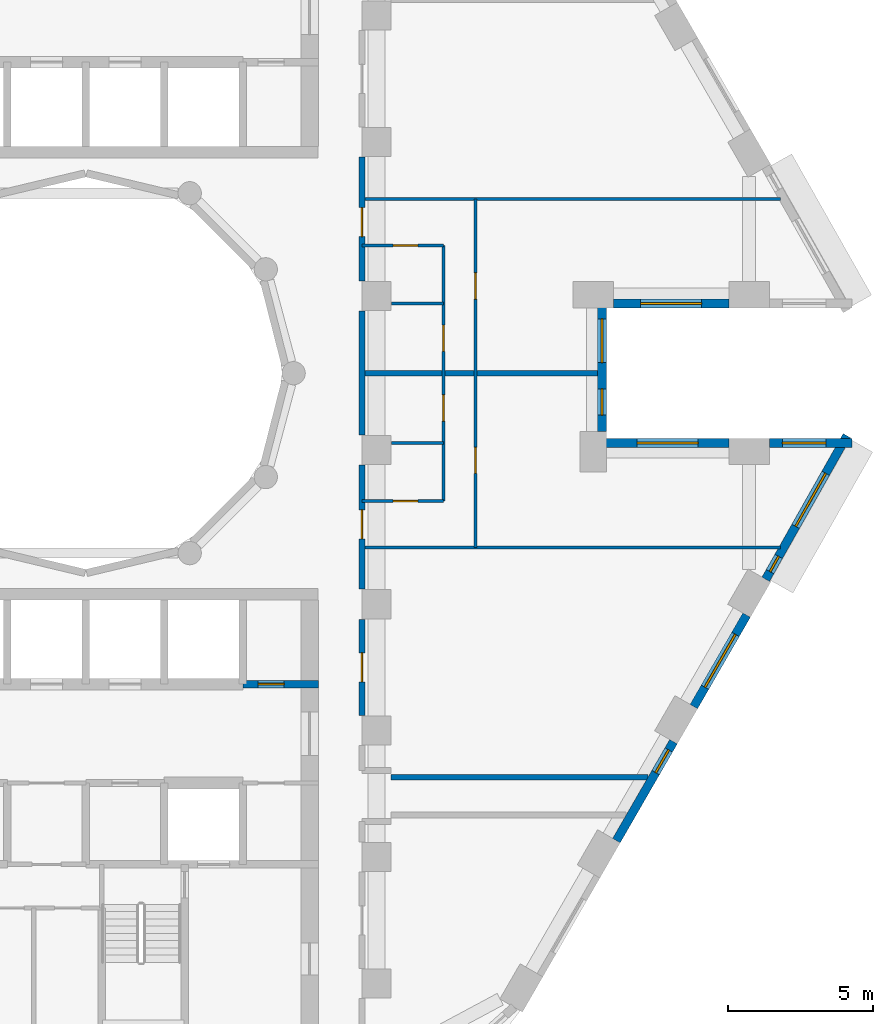
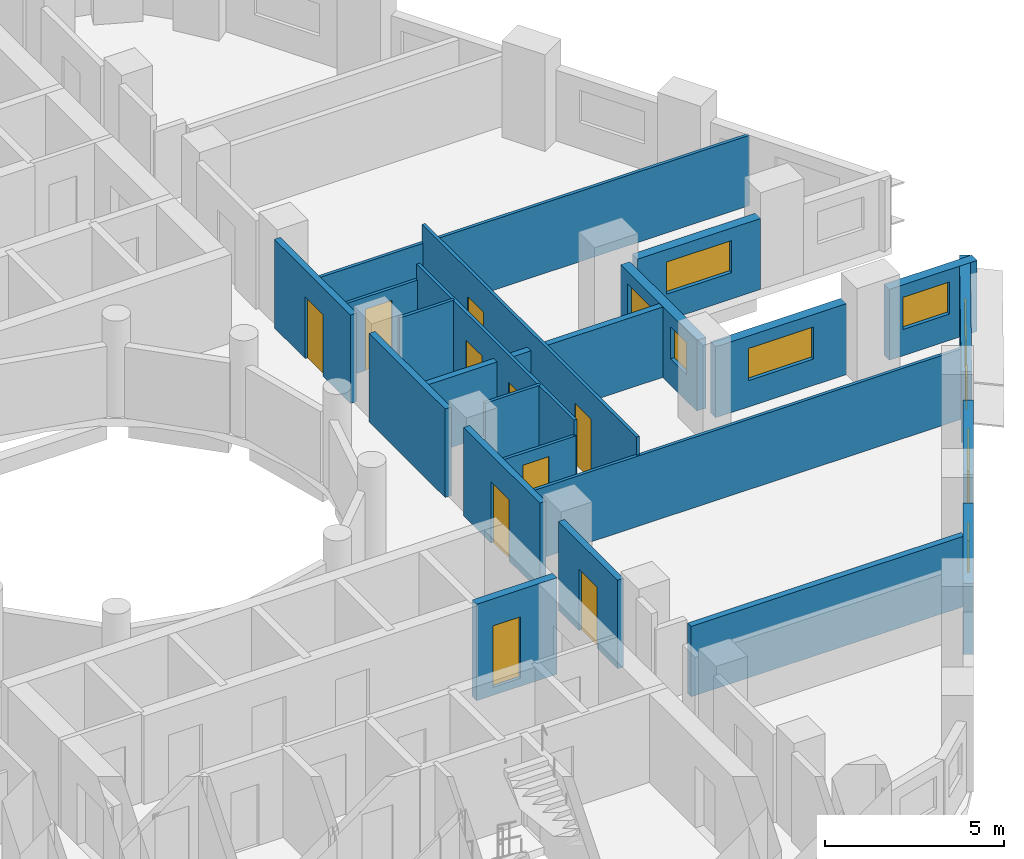
# One storey, part 6 of 12: 22 walls, 10 doors, 9 windows, 19 openings.
"""IFC4 building model written with IfcOpenShell, lengths in metres."""

import ifcopenshell
import ifcopenshell.guid

model = None  # the IFC model being written
_history = None  # IfcOwnerHistory: only IFC2X3 demands one
_inside = {}  # id of a spatial element -> (the spatial element, [elements in it])
_under = {}  # id of a project, library or spatial element -> (it, [spatial elements below it])
_declared = {}  # id of a project -> (the project, [libraries it declares])
_typed = {}  # id of a type object -> (the type object, [elements of that type])
_made_of = {}  # id of a material, layer set ... -> (it, [elements and type objects made of it])


def new_model(schema):
    """Start an empty IFC model of exactly this schema.

    Asked for "IFC4X3", IfcOpenShell would pick the latest addendum, in which some entities
    have other attributes; the version numbers below select the first issue.
    IFC2X3 requires an IfcOwnerHistory on every rooted entity: one is made here for all.
    """
    global model, _history
    if schema == "IFC4X3":
        model = ifcopenshell.file(schema_version=(4, 3, 0, 0))
    else:
        model = ifcopenshell.file(schema=schema)
    _inside.clear()
    _under.clear()
    _declared.clear()
    _typed.clear()
    _made_of.clear()
    _history = None
    if model.schema == "IFC2X3":
        org = make("IfcOrganization", Name="unknown")
        user = make(
            "IfcPersonAndOrganization",
            ThePerson=make("IfcPerson", FamilyName="unknown"),
            TheOrganization=org,
        )
        app = make(
            "IfcApplication",
            ApplicationDeveloper=org,
            Version="unknown",
            ApplicationFullName="unknown",
            ApplicationIdentifier="unknown",
        )
        _history = make(
            "IfcOwnerHistory",
            OwningUser=user,
            OwningApplication=app,
            ChangeAction="ADDED",
            CreationDate=0,
        )
    return model


def make(cls, **values):
    """One entity of the class cls with the attributes given. An attribute that is None is left unset."""
    return model.create_entity(
        cls, **{name: value for name, value in values.items() if value is not None}
    )


def rooted(cls, **values):
    """An entity with a GlobalId (a new one), such as an element, a storey or a relation."""
    return make(cls, GlobalId=ifcopenshell.guid.new(), OwnerHistory=_history, **values)


def si_unit(unit_type, name, prefix=None):
    """IfcSIUnit, for example si_unit("LENGTHUNIT", "METRE", prefix="MILLI")."""
    return make("IfcSIUnit", UnitType=unit_type, Prefix=prefix, Name=name)


def assignment(units):
    """IfcUnitAssignment: the units of a project."""
    return None if units is None else make("IfcUnitAssignment", Units=units)


def point(xyz):
    """IfcCartesianPoint."""
    return None if xyz is None else make("IfcCartesianPoint", Coordinates=xyz)


def direction(xyz):
    """IfcDirection."""
    return None if xyz is None else make("IfcDirection", DirectionRatios=xyz)


def frame(location, z_axis=None, x_axis=None):
    """IfcAxis2Placement3D, a coordinate frame: its origin and axes. An axis left out is left unset."""
    return make(
        "IfcAxis2Placement3D",
        Location=point(location),
        Axis=direction(z_axis),
        RefDirection=direction(x_axis),
    )


def frame_2d(location, x_axis=None):
    """IfcAxis2Placement2D, a coordinate frame in the plane: its origin and x axis."""
    return make(
        "IfcAxis2Placement2D", Location=point(location), RefDirection=direction(x_axis)
    )


def origin():
    """The frame at (0, 0, 0) with its axes left unset."""
    return frame((0.0, 0.0, 0.0))


def place(relative_to, where):
    """IfcLocalPlacement: puts the frame where relative to a parent placement (None: the world)."""
    return make(
        "IfcLocalPlacement", PlacementRelTo=relative_to, RelativePlacement=where
    )


def context(
    kind, dimensions, precision=None, world=None, true_north=None, identifier=None
):
    """IfcGeometricRepresentationContext, for example the 3D "Model" context."""
    return make(
        "IfcGeometricRepresentationContext",
        ContextIdentifier=identifier,
        ContextType=kind,
        CoordinateSpaceDimension=dimensions,
        Precision=precision,
        WorldCoordinateSystem=world,
        TrueNorth=true_north,
    )


def subcontext(parent, identifier, kind, view, scale=None):
    """IfcGeometricRepresentationSubContext, for example "Body" below "Model"."""
    return make(
        "IfcGeometricRepresentationSubContext",
        ContextIdentifier=identifier,
        ContextType=kind,
        ParentContext=parent,
        TargetScale=scale,
        TargetView=view,
    )


def project(units=None, contexts=None):
    """IfcProject with its units and contexts."""
    return rooted(
        "IfcProject",
        Name="project",
        RepresentationContexts=contexts,
        UnitsInContext=assignment(units),
    )


def spatial(cls, under=None, at=None, **own):
    """A site, building, storey or space (cls), placed at a placement, below another one or the project."""
    s = rooted(cls, ObjectPlacement=at, **own)
    if under is not None:
        _under.setdefault(under.id(), (under, []))[1].append(s)
    return s


def profile(cls, at=None, kind="AREA", **sizes):
    """A parametric profile (cls). Its sizes go by their IFC names, for example OverallWidth=200.0."""
    return make(cls, ProfileType=kind, Position=at, **sizes)


def rectangle(**sizes):
    """IfcRectangleProfileDef."""
    return profile("IfcRectangleProfileDef", **sizes)


def extrude(swept, where, along, depth):
    """IfcExtrudedAreaSolid: the profile swept, set in the frame where, extruded along a direction by depth."""
    return make(
        "IfcExtrudedAreaSolid",
        SweptArea=swept,
        Position=where,
        ExtrudedDirection=direction(along),
        Depth=depth,
    )


def shape(context_of_items, identifier, shape_type, items):
    """IfcShapeRepresentation: the items that make up one representation, for example the "Body"."""
    return make(
        "IfcShapeRepresentation",
        ContextOfItems=context_of_items,
        RepresentationIdentifier=identifier,
        RepresentationType=shape_type,
        Items=items,
    )


def material(Name=None, Category=None):
    """IfcMaterial."""
    return make("IfcMaterial", Name=Name, Category=Category)


def layer(
    of_material, thickness, ventilated=None, Name=None, Category=None, Priority=None
):
    """IfcMaterialLayer: one layer of a wall or slab, of a material (None: an air gap)."""
    return make(
        "IfcMaterialLayer",
        Material=of_material,
        LayerThickness=thickness,
        IsVentilated=ventilated,
        Name=Name,
        Category=Category,
        Priority=Priority,
    )


def layer_set(layers, Name=None):
    """IfcMaterialLayerSet."""
    return make("IfcMaterialLayerSet", MaterialLayers=layers, LayerSetName=Name)


def made_of(thing, what):
    """Note that an element or type object is made of a material, layer set ...; save() writes the relation."""
    if what is not None:
        _made_of.setdefault(what.id(), (what, []))[1].append(thing)
    return thing


def type_object(cls, material=None, **own):
    """A type object (cls), such as IfcWallType, which elements share."""
    return made_of(rooted(cls, **own), material)


def element(
    cls,
    number,
    at=None,
    inside=None,
    cuts=None,
    type_object=None,
    material=None,
    context=None,
    identifier="Body",
    shape_type=None,
    held_by="IfcProductDefinitionShape",
    body=None,
    shapes=None,
    **own,
):
    """One element of the class cls, such as IfcWall. Its Tag is "e" and its number.

    at: its placement. inside: the storey or other place that contains it. cuts: it is an
    opening in that element (IfcRelVoidsElement). A single representation is given by context,
    identifier, shape_type and body (its items); several are given by shapes. held_by: the class
    of the entity that holds the representations. save() writes the other relations.
    """
    e = rooted(cls, Tag="e%d" % number, ObjectPlacement=at, **own)
    if body is not None:
        shapes = [shape(context, identifier, shape_type, body)]
    if shapes is not None:
        e.Representation = make(held_by, Representations=shapes)
    if inside is not None:
        _inside.setdefault(inside.id(), (inside, []))[1].append(e)
    if cuts is not None:
        rooted(
            "IfcRelVoidsElement", RelatingBuildingElement=cuts, RelatedOpeningElement=e
        )
    if type_object is not None:
        _typed.setdefault(type_object.id(), (type_object, []))[1].append(e)
    return made_of(e, material)


def fill(opening, filler):
    """IfcRelFillsElement: the door or window that sits in an opening."""
    return rooted(
        "IfcRelFillsElement",
        RelatingOpeningElement=opening,
        RelatedBuildingElement=filler,
    )


def aggregate(whole, parts):
    """IfcRelAggregates: a whole, such as a stair, and the parts it consists of."""
    return rooted("IfcRelAggregates", RelatingObject=whole, RelatedObjects=parts)


def save(model, path):
    """Write the relations noted so far, then the file.

    IfcRelAggregates (storeys below a building ...), IfcRelContainedInSpatialStructure (elements
    in a storey), IfcRelDefinesByType, IfcRelAssociatesMaterial and IfcRelDeclares: one each for
    every whole, place, type object, material and project.
    """
    for whole, parts in _under.values():
        aggregate(whole, parts)
    for where, things in _inside.values():
        rooted(
            "IfcRelContainedInSpatialStructure",
            RelatedElements=things,
            RelatingStructure=where,
        )
    for kind, things in _typed.values():
        rooted("IfcRelDefinesByType", RelatedObjects=things, RelatingType=kind)
    for what, things in _made_of.values():
        rooted("IfcRelAssociatesMaterial", RelatedObjects=things, RelatingMaterial=what)
    for by, libraries in _declared.values():
        rooted("IfcRelDeclares", RelatingContext=by, RelatedDefinitions=libraries)
    model.write(path)


model = new_model("IFC4")

# Units and contexts
model_context = context("Model", 3, precision=1e-05, world=origin(), true_north=direction((0.0, 1.0)))
body_context = subcontext(model_context, "Body", "Model", "MODEL_VIEW")
ifc_project = project(units=[si_unit("LENGTHUNIT", "METRE"), si_unit("AREAUNIT", "SQUARE_METRE"), si_unit("VOLUMEUNIT", "CUBIC_METRE"), si_unit("PLANEANGLEUNIT", "RADIAN"), si_unit("MASSUNIT", "GRAM", prefix="KILO")], contexts=[model_context])

# Site, building, storey
site_placement = place(None, origin())
site = spatial("IfcSite", under=ifc_project, at=site_placement, CompositionType="ELEMENT")
building_placement = place(site_placement, origin())
building = spatial("IfcBuilding", under=site, at=building_placement, Name="Nakaniwa Court", CompositionType="ELEMENT")
storey_placement = place(building_placement, frame((0.0, 0.0, 87.60009765625)))
storey = spatial("IfcBuildingStorey", under=building, at=storey_placement, Name="L22", CompositionType="ELEMENT", Elevation=87.60009765625)

# Wall, opening, door
ifc_material_1 = material(Name="Acoustic double stud partition")
ifc_layer_1 = layer(ifc_material_1, 0.199951171875)
ifc_layer_set_1 = layer_set([ifc_layer_1], Name="Acoustic double stud partition")
wall_type_1 = type_object("IfcWallType", Name="Acoustic double stud partition 200", PredefinedType="PARTITIONING", material=ifc_layer_set_1)
wall_1_placement = place(storey_placement, frame((89.5, 71.532958984375, 0.0), z_axis=(0.0, 0.0, 1.0), x_axis=(0.0, -1.0, 0.0)))
wall_1 = element("IfcWall", 1, at=wall_1_placement, inside=storey, type_object=wall_type_1, Name="Partition PW-073", PredefinedType="PARTITIONING", context=body_context, shape_type="SweptSolid", body=[
    extrude(rectangle(XDim=3.31591796875, YDim=0.199951171875, at=frame_2d((1.657958984375, 0.0))), origin(), (0.0, 0.0, 1.0), 3.02490234375),
])
opening_1_placement = place(wall_1_placement, frame((1.157958984375, 0.0, 0.0)))
opening_1 = element("IfcOpeningElement", 2, at=opening_1_placement, cuts=wall_1, Name="Opening D-02-02", PredefinedType="OPENING", context=body_context, shape_type="SweptSolid", body=[
    extrude(rectangle(XDim=1.0, YDim=2.10009765625, at=frame_2d((0.5, 1.050048828125))), frame((0.0, 0.10986328125, 0.0), z_axis=(0.0, -1.0, 0.0), x_axis=(1.0, 0.0, 0.0)), (0.0, 0.0, 1.0), 0.219970703125),
])
ifc_material_2 = material(Name="Solid core timber door set, black veneer", Category="wood")
door_type_1 = type_object("IfcDoorType", Name="Internal door 1000", OperationType="NOTDEFINED", PredefinedType="DOOR", material=ifc_material_2)
door_1_placement = place(opening_1_placement, origin())
door_1 = element("IfcDoor", 3, at=door_1_placement, inside=storey, type_object=door_type_1, Name="Door D-02-02 L22-028", OperationType="SINGLE_SWING_LEFT", OverallHeight=2.10009765625, OverallWidth=1.0, PredefinedType="DOOR", context=body_context, shape_type="SweptSolid", body=[
    extrude(rectangle(XDim=1.0, YDim=2.10009765625, at=frame_2d((0.5, 1.050048828125))), frame((0.0, 0.02490234375, 0.0), z_axis=(0.0, -1.0, 0.0), x_axis=(1.0, 0.0, 0.0)), (0.0, 0.0, 1.0), 0.050048828125),
])
fill(opening_1, door_1)

wall_2_placement = place(storey_placement, frame((89.5, 76.8330078125, 0.0), z_axis=(0.0, 0.0, 1.0), x_axis=(0.0, -1.0, 0.0)))
wall_2 = element("IfcWall", 4, at=wall_2_placement, inside=storey, type_object=wall_type_1, Name="Partition PW-074", PredefinedType="PARTITIONING", context=body_context, shape_type="SweptSolid", body=[
    extrude(rectangle(XDim=4.26611328125, YDim=0.199951171875, at=frame_2d((2.133056640625, 0.0))), origin(), (0.0, 0.0, 1.0), 3.02490234375),
])
opening_2_placement = place(wall_2_placement, frame((1.532958984375, 0.0, 0.0)))
opening_2 = element("IfcOpeningElement", 5, at=opening_2_placement, cuts=wall_2, Name="Opening D-01-01", PredefinedType="OPENING", context=body_context, shape_type="SweptSolid", body=[
    extrude(rectangle(XDim=1.0, YDim=2.10009765625, at=frame_2d((0.5, 1.050048828125))), frame((0.0, 0.10986328125, 0.0), z_axis=(0.0, -1.0, 0.0), x_axis=(1.0, 0.0, 0.0)), (0.0, 0.0, 1.0), 0.219970703125),
])
door_type_2 = type_object("IfcDoorType", Name="Flat entrance door 1000", OperationType="NOTDEFINED", PredefinedType="DOOR", material=ifc_material_2)
door_2_placement = place(opening_2_placement, origin())
door_2 = element("IfcDoor", 6, at=door_2_placement, inside=storey, type_object=door_type_2, Name="Door D-01-01 L22-029", OperationType="SINGLE_SWING_RIGHT", OverallHeight=2.10009765625, OverallWidth=1.0, PredefinedType="DOOR", context=body_context, shape_type="SweptSolid", body=[
    extrude(rectangle(XDim=1.0, YDim=2.10009765625, at=frame_2d((0.5, 1.050048828125))), frame((0.0, 0.02490234375, 0.0), z_axis=(0.0, -1.0, 0.0), x_axis=(1.0, 0.0, 0.0)), (0.0, 0.0, 1.0), 0.050048828125),
])
fill(opening_2, door_2)

# Wall
wall_3_placement = place(storey_placement, frame((89.5, 77.866943359375, 0.0), z_axis=(0.0, 0.0, 1.0), x_axis=(0.0, 1.0, 0.0)))
element("IfcWall", 7, at=wall_3_placement, inside=storey, type_object=wall_type_1, Name="Partition PW-075", PredefinedType="PARTITIONING", context=body_context, shape_type="SweptSolid", body=[
    extrude(rectangle(XDim=4.26611328125, YDim=0.199951171875, at=frame_2d((2.133056640625, 0.0))), origin(), (0.0, 0.0, 1.0), 3.02490234375),
])

# Wall, opening, door
wall_4_placement = place(storey_placement, frame((89.5, 87.43310546875, 0.0), z_axis=(0.0, 0.0, 1.0), x_axis=(0.0, -1.0, 0.0)))
wall_4 = element("IfcWall", 8, at=wall_4_placement, inside=storey, type_object=wall_type_1, Name="Partition PW-076", PredefinedType="PARTITIONING", context=body_context, shape_type="SweptSolid", body=[
    extrude(rectangle(XDim=4.26611328125, YDim=0.199951171875, at=frame_2d((2.133056640625, 0.0))), origin(), (0.0, 0.0, 1.0), 3.02490234375),
])
opening_3_placement = place(wall_4_placement, frame((1.73291015625, 0.0, 0.0)))
opening_3 = element("IfcOpeningElement", 9, at=opening_3_placement, cuts=wall_4, Name="Opening D-01-02", PredefinedType="OPENING", context=body_context, shape_type="SweptSolid", body=[
    extrude(rectangle(XDim=1.0, YDim=2.10009765625, at=frame_2d((0.5, 1.050048828125))), frame((0.0, 0.10986328125, 0.0), z_axis=(0.0, -1.0, 0.0), x_axis=(1.0, 0.0, 0.0)), (0.0, 0.0, 1.0), 0.219970703125),
])
door_3_placement = place(opening_3_placement, origin())
door_3 = element("IfcDoor", 10, at=door_3_placement, inside=storey, type_object=door_type_2, Name="Door D-01-02 L22-033", OperationType="SINGLE_SWING_RIGHT", OverallHeight=2.10009765625, OverallWidth=1.0, PredefinedType="DOOR", context=body_context, shape_type="SweptSolid", body=[
    extrude(rectangle(XDim=1.0, YDim=2.10009765625, at=frame_2d((0.5, 1.050048828125))), frame((0.0, 0.02490234375, 0.0), z_axis=(0.0, -1.0, 0.0), x_axis=(1.0, 0.0, 0.0)), (0.0, 0.0, 1.0), 0.050048828125),
])
fill(opening_3, door_3)

# Walls
wall_5_placement = place(storey_placement, frame((90.5, 66.10009765625, 0.0), z_axis=(0.0, 0.0, 1.0), x_axis=(1.0, 0.0, 0.0)))
element("IfcWall", 11, at=wall_5_placement, inside=storey, type_object=wall_type_1, Name="Partition PW-094", PredefinedType="PARTITIONING", context=body_context, shape_type="SweptSolid", body=[
    extrude(rectangle(XDim=8.84130859375, YDim=0.199951171875, at=frame_2d((4.420654296875, 0.0))), origin(), (0.0, 0.0, 1.0), 2.40478515625),
])
wall_6_placement = place(storey_placement, frame((89.5, 80.0, 0.0), z_axis=(0.0, 0.0, 1.0), x_axis=(1.0, 0.0, 0.0)))
element("IfcWall", 12, at=wall_6_placement, inside=storey, type_object=wall_type_1, Name="Partition PW-111", PredefinedType="PARTITIONING", context=body_context, shape_type="SweptSolid", body=[
    extrude(rectangle(XDim=8.1083984375, YDim=0.199951171875, at=frame_2d((4.05419921875, 0.0))), origin(), (0.0, 0.0, 1.0), 2.40478515625),
])

# Wall, opening, window
ifc_material_3 = material(Name="Charcoal ceramic cladding")
ifc_layer_2 = layer(ifc_material_3, 0.02, Name="Ceramic cladding")
ifc_material_4 = material(Name="Ventilated air cavity")
ifc_layer_3 = layer(ifc_material_4, 0.04, ventilated=True, Name="Ventilated cavity")
ifc_material_5 = material(Name="Mineral wool insulation")
ifc_layer_4 = layer(ifc_material_5, 0.1, Name="Insulation")
ifc_material_6 = material(Name="Cement bonded sheathing board")
ifc_layer_5 = layer(ifc_material_6, 0.012, Name="Sheathing")
ifc_material_7 = material(Name="Cold-formed galvanised stud frame with mineral wool infill")
ifc_layer_6 = layer(ifc_material_7, 0.1, Name="Stud frame")
ifc_material_8 = material(Name="Fire-rated gypsum plasterboard lining")
ifc_layer_7 = layer(ifc_material_8, 0.028, Name="Lining")
ifc_layer_set_2 = layer_set([ifc_layer_2, ifc_layer_3, ifc_layer_4, ifc_layer_5, ifc_layer_6, ifc_layer_7], Name="Charcoal ceramic faced external wall system")
wall_type_2 = type_object("IfcWallType", Name="Black ceramic faced external wall 300", PredefinedType="SOLIDWALL", material=ifc_layer_set_2)
wall_7_placement = place(storey_placement, frame((98.154296875, 82.39990234375, 0.0), z_axis=(0.0, 0.0, 1.0), x_axis=(1.0, 0.0, 0.0)))
wall_7 = element("IfcWall", 13, at=wall_7_placement, inside=storey, type_object=wall_type_2, Name="L22 external wall 00", PredefinedType="SOLIDWALL", context=body_context, shape_type="SweptSolid", body=[
    extrude(rectangle(XDim=3.97265625, YDim=0.300048828125, at=frame_2d((1.986328125, 0.0))), origin(), (0.0, 0.0, 1.0), 2.4248046875),
])
opening_4_placement = place(wall_7_placement, frame((0.936279296875, 0.0, 0.89990234375)))
opening_4 = element("IfcOpeningElement", 14, at=opening_4_placement, cuts=wall_7, Name="Opening W7.01", PredefinedType="OPENING", context=body_context, shape_type="SweptSolid", body=[
    extrude(rectangle(XDim=2.10009765625, YDim=1.10009765625, at=frame_2d((1.050048828125, 0.550048828125))), frame((0.0, 0.159912109375, 0.0), z_axis=(0.0, -1.0, 0.0), x_axis=(1.0, 0.0, 0.0)), (0.0, 0.0, 1.0), 0.320068359375),
])
ifc_material_9 = material(Name="Black anodised aluminium frame with dark low-E laminated double glazing", Category="aluminium")
window_type_1 = type_object("IfcWindowType", Name="Dark glass window 2100x1100 sill 900", PartitioningType="SINGLE_PANEL", PredefinedType="WINDOW", material=ifc_material_9)
window_1_placement = place(opening_4_placement, origin())
window_1 = element("IfcWindow", 15, at=window_1_placement, inside=storey, type_object=window_type_1, Name="L22 living window 00-0", OverallHeight=1.10009765625, OverallWidth=2.10009765625, PartitioningType="SINGLE_PANEL", PredefinedType="WINDOW", context=body_context, shape_type="SweptSolid", body=[
    extrude(rectangle(XDim=2.10009765625, YDim=1.10009765625, at=frame_2d((1.050048828125, 0.550048828125))), frame((0.0, 0.030029296875, 0.0), z_axis=(0.0, -1.0, 0.0), x_axis=(1.0, 0.0, 0.0)), (0.0, 0.0, 1.0), 0.06005859375),
])
fill(opening_4, window_1)

wall_8_placement = place(storey_placement, frame((98.25341796875, 63.91552734375, 0.0), z_axis=(0.0, 0.0, 1.0), x_axis=(0.499957037901, 0.866050206543, 0.0)))
wall_8 = element("IfcWall", 16, at=wall_8_placement, inside=storey, type_object=wall_type_2, Name="L22 external wall 30", PredefinedType="SOLIDWALL", context=body_context, shape_type="SweptSolid", body=[
    extrude(rectangle(XDim=3.933837890625, YDim=0.300048828125, at=frame_2d((1.966796875, 0.0))), origin(), (0.0, 0.0, 1.0), 2.4248046875),
])
opening_5_placement = place(wall_8_placement, frame((2.7041015625, 0.0, 0.89990234375)))
opening_5 = element("IfcOpeningElement", 17, at=opening_5_placement, cuts=wall_8, Name="Opening W9.34", PredefinedType="OPENING", context=body_context, shape_type="SweptSolid", body=[
    extrude(rectangle(XDim=0.89990234375, YDim=1.10009765625, at=frame_2d((0.449951171875, 0.550048828125))), frame((0.0, 0.159912109375, 0.0), z_axis=(0.0, -1.0, 0.0), x_axis=(1.0, 0.0, 0.0)), (0.0, 0.0, 1.0), 0.320068359375),
])
window_type_2 = type_object("IfcWindowType", Name="Dark glass window 900x1100 sill 900", PartitioningType="SINGLE_PANEL", PredefinedType="WINDOW", material=ifc_material_9)
window_2_placement = place(opening_5_placement, origin())
window_2 = element("IfcWindow", 18, at=window_2_placement, inside=storey, type_object=window_type_2, Name="L22 habitable room window 30-2", OverallHeight=1.10009765625, OverallWidth=0.89990234375, PartitioningType="SINGLE_PANEL", PredefinedType="WINDOW", context=body_context, shape_type="SweptSolid", body=[
    extrude(rectangle(XDim=0.89990234375, YDim=1.10009765625, at=frame_2d((0.449951171875, 0.550048828125))), frame((0.0, 0.030029296875, 0.0), z_axis=(0.0, -1.0, 0.0), x_axis=(1.0, 0.0, 0.0)), (0.0, 0.0, 1.0), 0.06005859375),
])
fill(opening_5, window_2)

wall_9_placement = place(storey_placement, frame((100.916259765625, 68.528076171875, 0.0), z_axis=(0.0, 0.0, 1.0), x_axis=(0.500009139881, 0.866020126807, 0.0)))
wall_9 = element("IfcWall", 19, at=wall_9_placement, inside=storey, type_object=wall_type_2, Name="L22 external wall 31", PredefinedType="SOLIDWALL", context=body_context, shape_type="SweptSolid", body=[
    extrude(rectangle(XDim=3.63671875, YDim=0.300048828125, at=frame_2d((1.818359375, 0.0))), origin(), (0.0, 0.0, 1.0), 2.4248046875),
])
opening_6_placement = place(wall_9_placement, frame((0.768310546875, 0.0, 0.89990234375)))
opening_6 = element("IfcOpeningElement", 20, at=opening_6_placement, cuts=wall_9, Name="Opening W7.35", PredefinedType="OPENING", context=body_context, shape_type="SweptSolid", body=[
    extrude(rectangle(XDim=2.10009765625, YDim=1.10009765625, at=frame_2d((1.050048828125, 0.550048828125))), frame((0.0, 0.159912109375, 0.0), z_axis=(0.0, -1.0, 0.0), x_axis=(1.0, 0.0, 0.0)), (0.0, 0.0, 1.0), 0.320068359375),
])
window_3_placement = place(opening_6_placement, origin())
window_3 = element("IfcWindow", 21, at=window_3_placement, inside=storey, type_object=window_type_1, Name="L22 habitable room window 31-0", OverallHeight=1.10009765625, OverallWidth=2.10009765625, PartitioningType="SINGLE_PANEL", PredefinedType="WINDOW", context=body_context, shape_type="SweptSolid", body=[
    extrude(rectangle(XDim=2.10009765625, YDim=1.10009765625, at=frame_2d((1.050048828125, 0.550048828125))), frame((0.0, 0.030029296875, 0.0), z_axis=(0.0, -1.0, 0.0), x_axis=(1.0, 0.0, 0.0)), (0.0, 0.0, 1.0), 0.06005859375),
])
fill(opening_6, window_3)

# Wall, openings, windows
wall_10_placement = place(storey_placement, frame((103.390625, 72.90625, 0.0), z_axis=(0.0, 0.0, 1.0), x_axis=(0.492456858874, 0.870336855561, 0.0)))
wall_10 = element("IfcWall", 22, at=wall_10_placement, inside=storey, type_object=wall_type_2, Name="L22 external wall 32", PredefinedType="SOLIDWALL", context=body_context, shape_type="SweptSolid", body=[
    extrude(rectangle(XDim=5.676513671875, YDim=0.300048828125, at=frame_2d((2.83837890625, 0.0))), origin(), (0.0, 0.0, 1.0), 2.4248046875),
])
opening_7_placement = place(wall_10_placement, frame((0.305419921875, 0.0, 0.89990234375)))
opening_7 = element("IfcOpeningElement", 23, at=opening_7_placement, cuts=wall_10, Name="Opening W8.36", PredefinedType="OPENING", context=body_context, shape_type="SweptSolid", body=[
    extrude(rectangle(XDim=0.60009765625, YDim=1.10009765625, at=frame_2d((0.300048828125, 0.550048828125))), frame((0.0, 0.159912109375, 0.0), z_axis=(0.0, -1.0, 0.0), x_axis=(1.0, 0.0, 0.0)), (0.0, 0.0, 1.0), 0.320068359375),
])
opening_8_placement = place(wall_10_placement, frame((2.092529296875, 0.0, 0.89990234375)))
opening_8 = element("IfcOpeningElement", 24, at=opening_8_placement, cuts=wall_10, Name="Opening W7.37", PredefinedType="OPENING", context=body_context, shape_type="SweptSolid", body=[
    extrude(rectangle(XDim=2.10009765625, YDim=1.10009765625, at=frame_2d((1.050048828125, 0.550048828125))), frame((0.0, 0.159912109375, 0.0), z_axis=(0.0, -1.0, 0.0), x_axis=(1.0, 0.0, 0.0)), (0.0, 0.0, 1.0), 0.320068359375),
])
window_4_placement = place(opening_8_placement, origin())
window_4 = element("IfcWindow", 25, at=window_4_placement, inside=storey, type_object=window_type_1, Name="L22 living window 32-1", OverallHeight=1.10009765625, OverallWidth=2.10009765625, PartitioningType="SINGLE_PANEL", PredefinedType="WINDOW", context=body_context, shape_type="SweptSolid", body=[
    extrude(rectangle(XDim=2.10009765625, YDim=1.10009765625, at=frame_2d((1.050048828125, 0.550048828125))), frame((0.0, 0.030029296875, 0.0), z_axis=(0.0, -1.0, 0.0), x_axis=(1.0, 0.0, 0.0)), (0.0, 0.0, 1.0), 0.06005859375),
])
fill(opening_8, window_4)
window_type_3 = type_object("IfcWindowType", Name="Dark glass window 600x1100 sill 900", PartitioningType="SINGLE_PANEL", PredefinedType="WINDOW", material=ifc_material_9)
window_5_placement = place(opening_7_placement, origin())
window_5 = element("IfcWindow", 26, at=window_5_placement, inside=storey, type_object=window_type_3, Name="L22 habitable room window 32-0", OverallHeight=1.10009765625, OverallWidth=0.60009765625, PartitioningType="SINGLE_PANEL", PredefinedType="WINDOW", context=body_context, shape_type="SweptSolid", body=[
    extrude(rectangle(XDim=0.60009765625, YDim=1.10009765625, at=frame_2d((0.300048828125, 0.550048828125))), frame((0.0, 0.030029296875, 0.0), z_axis=(0.0, -1.0, 0.0), x_axis=(1.0, 0.0, 0.0)), (0.0, 0.0, 1.0), 0.06005859375),
])
fill(opening_7, window_5)

# Wall, opening, window
wall_11_placement = place(storey_placement, frame((106.356689453125, 77.60009765625, 0.0), z_axis=(0.0, 0.0, 1.0), x_axis=(-1.0, 0.0, 0.0)))
wall_11 = element("IfcWall", 27, at=wall_11_placement, inside=storey, type_object=wall_type_2, Name="L22 external wall 33", PredefinedType="SOLIDWALL", context=body_context, shape_type="SweptSolid", body=[
    extrude(rectangle(XDim=2.837890625, YDim=0.300048828125, at=frame_2d((1.4189453125, 0.0))), origin(), (0.0, 0.0, 1.0), 2.4248046875),
])
opening_9_placement = place(wall_11_placement, frame((0.893798828125, 0.0, 0.89990234375)))
opening_9 = element("IfcOpeningElement", 28, at=opening_9_placement, cuts=wall_11, Name="Opening W5.38", PredefinedType="OPENING", context=body_context, shape_type="SweptSolid", body=[
    extrude(rectangle(XDim=1.5, YDim=1.10009765625, at=frame_2d((0.75, 0.550048828125))), frame((0.0, 0.159912109375, 0.0), z_axis=(0.0, -1.0, 0.0), x_axis=(1.0, 0.0, 0.0)), (0.0, 0.0, 1.0), 0.320068359375),
])
window_type_4 = type_object("IfcWindowType", Name="Dark glass window 1500x1100 sill 900", PartitioningType="SINGLE_PANEL", PredefinedType="WINDOW", material=ifc_material_9)
window_6_placement = place(opening_9_placement, origin())
window_6 = element("IfcWindow", 29, at=window_6_placement, inside=storey, type_object=window_type_4, Name="L22 living window 33-0", OverallHeight=1.10009765625, OverallWidth=1.5, PartitioningType="SINGLE_PANEL", PredefinedType="WINDOW", context=body_context, shape_type="SweptSolid", body=[
    extrude(rectangle(XDim=1.5, YDim=1.10009765625, at=frame_2d((0.75, 0.550048828125))), frame((0.0, 0.030029296875, 0.0), z_axis=(0.0, -1.0, 0.0), x_axis=(1.0, 0.0, 0.0)), (0.0, 0.0, 1.0), 0.06005859375),
])
fill(opening_9, window_6)

wall_12_placement = place(storey_placement, frame((102.126953125, 77.60009765625, 0.0), z_axis=(0.0, 0.0, 1.0), x_axis=(-1.0, 0.0, 0.0)))
wall_12 = element("IfcWall", 30, at=wall_12_placement, inside=storey, type_object=wall_type_2, Name="L22 external wall 34", PredefinedType="SOLIDWALL", context=body_context, shape_type="SweptSolid", body=[
    extrude(rectangle(XDim=4.22265625, YDim=0.300048828125, at=frame_2d((2.111328125, 0.0))), origin(), (0.0, 0.0, 1.0), 2.4248046875),
])
opening_10_placement = place(wall_12_placement, frame((1.061279296875, 0.0, 0.89990234375)))
opening_10 = element("IfcOpeningElement", 31, at=opening_10_placement, cuts=wall_12, Name="Opening W7.39", PredefinedType="OPENING", context=body_context, shape_type="SweptSolid", body=[
    extrude(rectangle(XDim=2.10009765625, YDim=1.10009765625, at=frame_2d((1.050048828125, 0.550048828125))), frame((0.0, 0.159912109375, 0.0), z_axis=(0.0, -1.0, 0.0), x_axis=(1.0, 0.0, 0.0)), (0.0, 0.0, 1.0), 0.320068359375),
])
window_7_placement = place(opening_10_placement, origin())
window_7 = element("IfcWindow", 32, at=window_7_placement, inside=storey, type_object=window_type_1, Name="L22 living window 34-0", OverallHeight=1.10009765625, OverallWidth=2.10009765625, PartitioningType="SINGLE_PANEL", PredefinedType="WINDOW", context=body_context, shape_type="SweptSolid", body=[
    extrude(rectangle(XDim=2.10009765625, YDim=1.10009765625, at=frame_2d((1.050048828125, 0.550048828125))), frame((0.0, 0.030029296875, 0.0), z_axis=(0.0, -1.0, 0.0), x_axis=(1.0, 0.0, 0.0)), (0.0, 0.0, 1.0), 0.06005859375),
])
fill(opening_10, window_7)

# Wall, openings, windows
wall_13_placement = place(storey_placement, frame((97.75830078125, 77.99609375, 0.0), z_axis=(0.0, 0.0, 1.0), x_axis=(0.0, 1.0, 0.0)))
wall_13 = element("IfcWall", 33, at=wall_13_placement, inside=storey, type_object=wall_type_2, Name="L22 external wall 35", PredefinedType="SOLIDWALL", context=body_context, shape_type="SweptSolid", body=[
    extrude(rectangle(XDim=4.2578125, YDim=0.300048828125, at=frame_2d((2.12890625, 0.0))), origin(), (0.0, 0.0, 1.0), 2.4248046875),
])
opening_11_placement = place(wall_13_placement, frame((0.56396484375, 0.0, 0.89990234375)))
opening_11 = element("IfcOpeningElement", 34, at=opening_11_placement, cuts=wall_13, Name="Opening W9.40", PredefinedType="OPENING", context=body_context, shape_type="SweptSolid", body=[
    extrude(rectangle(XDim=0.89990234375, YDim=1.10009765625, at=frame_2d((0.449951171875, 0.550048828125))), frame((0.0, 0.159912109375, 0.0), z_axis=(0.0, -1.0, 0.0), x_axis=(1.0, 0.0, 0.0)), (0.0, 0.0, 1.0), 0.320068359375),
])
opening_12_placement = place(wall_13_placement, frame((2.368896484375, 0.0, 0.89990234375)))
opening_12 = element("IfcOpeningElement", 35, at=opening_12_placement, cuts=wall_13, Name="Opening W5.41", PredefinedType="OPENING", context=body_context, shape_type="SweptSolid", body=[
    extrude(rectangle(XDim=1.5, YDim=1.10009765625, at=frame_2d((0.75, 0.550048828125))), frame((0.0, 0.159912109375, 0.0), z_axis=(0.0, -1.0, 0.0), x_axis=(1.0, 0.0, 0.0)), (0.0, 0.0, 1.0), 0.320068359375),
])
window_8_placement = place(opening_12_placement, origin())
window_8 = element("IfcWindow", 36, at=window_8_placement, inside=storey, type_object=window_type_4, Name="L22 living window 35-1", OverallHeight=1.10009765625, OverallWidth=1.5, PartitioningType="SINGLE_PANEL", PredefinedType="WINDOW", context=body_context, shape_type="SweptSolid", body=[
    extrude(rectangle(XDim=1.5, YDim=1.10009765625, at=frame_2d((0.75, 0.550048828125))), frame((0.0, 0.030029296875, 0.0), z_axis=(0.0, -1.0, 0.0), x_axis=(1.0, 0.0, 0.0)), (0.0, 0.0, 1.0), 0.06005859375),
])
fill(opening_12, window_8)
window_9_placement = place(opening_11_placement, origin())
window_9 = element("IfcWindow", 37, at=window_9_placement, inside=storey, type_object=window_type_2, Name="L22 living window 35-0", OverallHeight=1.10009765625, OverallWidth=0.89990234375, PartitioningType="SINGLE_PANEL", PredefinedType="WINDOW", context=body_context, shape_type="SweptSolid", body=[
    extrude(rectangle(XDim=0.89990234375, YDim=1.10009765625, at=frame_2d((0.449951171875, 0.550048828125))), frame((0.0, 0.030029296875, 0.0), z_axis=(0.0, -1.0, 0.0), x_axis=(1.0, 0.0, 0.0)), (0.0, 0.0, 1.0), 0.06005859375),
])
fill(opening_11, window_9)

# Wall, opening, door
ifc_material_10 = material(Name="Concrete C80/100", Category="concrete")
ifc_layer_8 = layer(ifc_material_10, 0.25)
ifc_layer_set_3 = layer_set([ifc_layer_8], Name="Concrete C80/100")
wall_type_3 = type_object("IfcWallType", Name="Concrete shaft wall 250 C80", PredefinedType="SHEAR", material=ifc_layer_set_3)
wall_14_placement = place(storey_placement, frame((85.39990234375, 69.300048828125, -0.275146484375), z_axis=(0.0, 0.0, 1.0), x_axis=(1.0, 0.0, 0.0)))
wall_14 = element("IfcWall", 38, at=wall_14_placement, inside=storey, type_object=wall_type_3, Name="Core wall SW-48", PredefinedType="SHEAR", context=body_context, shape_type="SweptSolid", body=[
    extrude(rectangle(XDim=2.60009765625, YDim=0.25, at=frame_2d((1.300048828125, 0.0))), origin(), (0.0, 0.0, 1.0), 3.300048828125),
])
opening_13_placement = place(wall_14_placement, frame((0.52490234375, 0.0, 0.27490234375)))
opening_13 = element("IfcOpeningElement", 39, at=opening_13_placement, cuts=wall_14, Name="Opening D-05-10", PredefinedType="OPENING", context=body_context, shape_type="SweptSolid", body=[
    extrude(rectangle(XDim=0.89990234375, YDim=2.10009765625, at=frame_2d((0.449951171875, 1.050048828125))), frame((0.0, 0.135009765625, 0.0), z_axis=(0.0, -1.0, 0.0), x_axis=(1.0, 0.0, 0.0)), (0.0, 0.0, 1.0), 0.27001953125),
])
ifc_material_11 = material(Name="Fire rated steel door set", Category="steel")
door_type_3 = type_object("IfcDoorType", Name="Service room door 900", OperationType="NOTDEFINED", PredefinedType="DOOR", material=ifc_material_11)
door_4_placement = place(opening_13_placement, origin())
door_4 = element("IfcDoor", 40, at=door_4_placement, inside=storey, type_object=door_type_3, Name="Door D-05-10 L22-015", OperationType="SINGLE_SWING_RIGHT", OverallHeight=2.10009765625, OverallWidth=0.89990234375, PredefinedType="DOOR", context=body_context, shape_type="SweptSolid", body=[
    extrude(rectangle(XDim=0.89990234375, YDim=2.10009765625, at=frame_2d((0.449951171875, 1.050048828125))), frame((0.0, 0.02490234375, 0.0), z_axis=(0.0, -1.0, 0.0), x_axis=(1.0, 0.0, 0.0)), (0.0, 0.0, 1.0), 0.050048828125),
])
fill(opening_13, door_4)

# Walls
ifc_material_12 = material(Name="Single stud plasterboard partition")
ifc_layer_9 = layer(ifc_material_12, 0.10009765625)
ifc_layer_set_4 = layer_set([ifc_layer_9], Name="Single stud plasterboard partition")
wall_type_4 = type_object("IfcWallType", Name="Single stud plasterboard partition 100", PredefinedType="PARTITIONING", material=ifc_layer_set_4)
wall_15_placement = place(storey_placement, frame((89.5, 74.0, 0.0), z_axis=(0.0, 0.0, 1.0), x_axis=(1.0, 0.0, 0.0)))
element("IfcWall", 41, at=wall_15_placement, inside=storey, type_object=wall_type_4, Name="Partition PW-107", PredefinedType="PARTITIONING", context=body_context, shape_type="SweptSolid", body=[
    extrude(rectangle(XDim=14.40234375, YDim=0.10009765625, at=frame_2d((7.201171875, 0.0))), origin(), (0.0, 0.0, 1.0), 2.40478515625),
])
wall_16_placement = place(storey_placement, frame((90.52001953125, 77.60009765625, 0.0), z_axis=(0.0, 0.0, 1.0), x_axis=(1.0, 0.0, 0.0)))
element("IfcWall", 42, at=wall_16_placement, inside=storey, type_object=wall_type_4, Name="Partition PW-108", PredefinedType="PARTITIONING", context=body_context, shape_type="SweptSolid", body=[
    extrude(rectangle(XDim=1.780029296875, YDim=0.10009765625, at=frame_2d((0.89013671875, 0.0))), origin(), (0.0, 0.0, 1.0), 3.02490234375),
])

# Wall, opening, door
wall_17_placement = place(storey_placement, frame((89.5, 75.60009765625, 0.0), z_axis=(0.0, 0.0, 1.0), x_axis=(1.0, 0.0, 0.0)))
wall_17 = element("IfcWall", 43, at=wall_17_placement, inside=storey, type_object=wall_type_4, Name="Partition PW-109", PredefinedType="PARTITIONING", context=body_context, shape_type="SweptSolid", body=[
    extrude(rectangle(XDim=2.800048828125, YDim=0.10009765625, at=frame_2d((1.39990234375, 0.0))), origin(), (0.0, 0.0, 1.0), 2.5048828125),
])
opening_14_placement = place(wall_17_placement, frame((1.074951171875, 0.0, 0.0)))
opening_14 = element("IfcOpeningElement", 44, at=opening_14_placement, cuts=wall_17, Name="Opening D-03-01", PredefinedType="OPENING", context=body_context, shape_type="SweptSolid", body=[
    extrude(rectangle(XDim=0.85009765625, YDim=2.10009765625, at=frame_2d((0.425048828125, 1.050048828125))), frame((0.0, 0.06005859375, 0.0), z_axis=(0.0, -1.0, 0.0), x_axis=(1.0, 0.0, 0.0)), (0.0, 0.0, 1.0), 0.1201171875),
])
ifc_material_13 = material(Name="Moisture sealed timber door set", Category="wood")
door_type_4 = type_object("IfcDoorType", Name="Bathroom door 850", OperationType="NOTDEFINED", PredefinedType="DOOR", material=ifc_material_13)
door_5_placement = place(opening_14_placement, origin())
door_5 = element("IfcDoor", 45, at=door_5_placement, inside=storey, type_object=door_type_4, Name="Door D-03-01 L22-030", OperationType="SINGLE_SWING_LEFT", OverallHeight=2.10009765625, OverallWidth=0.85009765625, PredefinedType="DOOR", context=body_context, shape_type="SweptSolid", body=[
    extrude(rectangle(XDim=0.85009765625, YDim=2.10009765625, at=frame_2d((0.425048828125, 1.050048828125))), frame((0.0, 0.02490234375, 0.0), z_axis=(0.0, -1.0, 0.0), x_axis=(1.0, 0.0, 0.0)), (0.0, 0.0, 1.0), 0.050048828125),
])
fill(opening_14, door_5)

# Wall, openings, doors
wall_18_placement = place(storey_placement, frame((92.300048828125, 75.60009765625, 0.0), z_axis=(0.0, 0.0, 1.0), x_axis=(0.0, 1.0, 0.0)))
wall_18 = element("IfcWall", 46, at=wall_18_placement, inside=storey, type_object=wall_type_4, Name="Partition PW-110", PredefinedType="PARTITIONING", context=body_context, shape_type="SweptSolid", body=[
    extrude(rectangle(XDim=8.7998046875, YDim=0.10009765625, at=frame_2d((4.39990234375, 0.0))), origin(), (0.0, 0.0, 1.0), 3.02490234375),
])
opening_15_placement = place(wall_18_placement, frame((2.75, 0.0, 0.0)))
opening_15 = element("IfcOpeningElement", 47, at=opening_15_placement, cuts=wall_18, Name="Opening D-33-01", PredefinedType="OPENING", context=body_context, shape_type="SweptSolid", body=[
    extrude(rectangle(XDim=0.89990234375, YDim=2.10009765625, at=frame_2d((0.449951171875, 1.050048828125))), frame((0.0, 0.06005859375, 0.0), z_axis=(0.0, -1.0, 0.0), x_axis=(1.0, 0.0, 0.0)), (0.0, 0.0, 1.0), 0.1201171875),
])
opening_16_placement = place(wall_18_placement, frame((5.14990234375, 0.0, 0.0)))
opening_16 = element("IfcOpeningElement", 48, at=opening_16_placement, cuts=wall_18, Name="Opening D-33-03", PredefinedType="OPENING", context=body_context, shape_type="SweptSolid", body=[
    extrude(rectangle(XDim=0.89990234375, YDim=2.10009765625, at=frame_2d((0.449951171875, 1.050048828125))), frame((0.0, 0.06005859375, 0.0), z_axis=(0.0, -1.0, 0.0), x_axis=(1.0, 0.0, 0.0)), (0.0, 0.0, 1.0), 0.1201171875),
])
door_type_5 = type_object("IfcDoorType", Name="Internal door 900", OperationType="NOTDEFINED", PredefinedType="DOOR", material=ifc_material_2)
door_6_placement = place(opening_15_placement, origin())
door_6 = element("IfcDoor", 49, at=door_6_placement, inside=storey, type_object=door_type_5, Name="Door D-33-01 L22-031", OperationType="SINGLE_SWING_RIGHT", OverallHeight=2.10009765625, OverallWidth=0.89990234375, PredefinedType="DOOR", context=body_context, shape_type="SweptSolid", body=[
    extrude(rectangle(XDim=0.89990234375, YDim=2.10009765625, at=frame_2d((0.449951171875, 1.050048828125))), frame((0.0, 0.02490234375, 0.0), z_axis=(0.0, -1.0, 0.0), x_axis=(1.0, 0.0, 0.0)), (0.0, 0.0, 1.0), 0.050048828125),
])
fill(opening_15, door_6)
door_7_placement = place(opening_16_placement, origin())
door_7 = element("IfcDoor", 50, at=door_7_placement, inside=storey, type_object=door_type_5, Name="Door D-33-03 L22-034", OperationType="SINGLE_SWING_LEFT", OverallHeight=2.10009765625, OverallWidth=0.89990234375, PredefinedType="DOOR", context=body_context, shape_type="SweptSolid", body=[
    extrude(rectangle(XDim=0.89990234375, YDim=2.10009765625, at=frame_2d((0.449951171875, 1.050048828125))), frame((0.0, 0.02490234375, 0.0), z_axis=(0.0, -1.0, 0.0), x_axis=(1.0, 0.0, 0.0)), (0.0, 0.0, 1.0), 0.050048828125),
])
fill(opening_16, door_7)

wall_19_placement = place(storey_placement, frame((93.39990234375, 86.0, 0.0), z_axis=(0.0, 0.0, 1.0), x_axis=(0.0, -1.0, 0.0)))
wall_19 = element("IfcWall", 51, at=wall_19_placement, inside=storey, type_object=wall_type_4, Name="Partition PW-112", PredefinedType="PARTITIONING", context=body_context, shape_type="SweptSolid", body=[
    extrude(rectangle(XDim=12.0, YDim=0.10009765625, at=frame_2d((6.0, 0.0))), origin(), (0.0, 0.0, 1.0), 3.02490234375),
])
opening_17_placement = place(wall_19_placement, frame((8.550048828125, 0.0, 0.0)))
opening_17 = element("IfcOpeningElement", 52, at=opening_17_placement, cuts=wall_19, Name="Opening D-33-02", PredefinedType="OPENING", context=body_context, shape_type="SweptSolid", body=[
    extrude(rectangle(XDim=0.89990234375, YDim=2.10009765625, at=frame_2d((0.449951171875, 1.050048828125))), frame((0.0, 0.06005859375, 0.0), z_axis=(0.0, -1.0, 0.0), x_axis=(1.0, 0.0, 0.0)), (0.0, 0.0, 1.0), 0.1201171875),
])
opening_18_placement = place(wall_19_placement, frame((2.550048828125, 0.0, 0.0)))
opening_18 = element("IfcOpeningElement", 53, at=opening_18_placement, cuts=wall_19, Name="Opening D-33-04", PredefinedType="OPENING", context=body_context, shape_type="SweptSolid", body=[
    extrude(rectangle(XDim=0.89990234375, YDim=2.10009765625, at=frame_2d((0.449951171875, 1.050048828125))), frame((0.0, 0.06005859375, 0.0), z_axis=(0.0, -1.0, 0.0), x_axis=(1.0, 0.0, 0.0)), (0.0, 0.0, 1.0), 0.1201171875),
])
door_8_placement = place(opening_17_placement, origin())
door_8 = element("IfcDoor", 54, at=door_8_placement, inside=storey, type_object=door_type_5, Name="Door D-33-02 L22-032", OperationType="SINGLE_SWING_LEFT", OverallHeight=2.10009765625, OverallWidth=0.89990234375, PredefinedType="DOOR", context=body_context, shape_type="SweptSolid", body=[
    extrude(rectangle(XDim=0.89990234375, YDim=2.10009765625, at=frame_2d((0.449951171875, 1.050048828125))), frame((0.0, 0.02490234375, 0.0), z_axis=(0.0, -1.0, 0.0), x_axis=(1.0, 0.0, 0.0)), (0.0, 0.0, 1.0), 0.050048828125),
])
fill(opening_17, door_8)
door_9_placement = place(opening_18_placement, origin())
door_9 = element("IfcDoor", 55, at=door_9_placement, inside=storey, type_object=door_type_5, Name="Door D-33-04 L22-036", OperationType="SINGLE_SWING_LEFT", OverallHeight=2.10009765625, OverallWidth=0.89990234375, PredefinedType="DOOR", context=body_context, shape_type="SweptSolid", body=[
    extrude(rectangle(XDim=0.89990234375, YDim=2.10009765625, at=frame_2d((0.449951171875, 1.050048828125))), frame((0.0, 0.02490234375, 0.0), z_axis=(0.0, -1.0, 0.0), x_axis=(1.0, 0.0, 0.0)), (0.0, 0.0, 1.0), 0.050048828125),
])
fill(opening_18, door_9)

# Wall
wall_20_placement = place(storey_placement, frame((90.52001953125, 82.39990234375, 0.0), z_axis=(0.0, 0.0, 1.0), x_axis=(1.0, 0.0, 0.0)))
element("IfcWall", 56, at=wall_20_placement, inside=storey, type_object=wall_type_4, Name="Partition PW-113", PredefinedType="PARTITIONING", context=body_context, shape_type="SweptSolid", body=[
    extrude(rectangle(XDim=1.780029296875, YDim=0.10009765625, at=frame_2d((0.89013671875, 0.0))), origin(), (0.0, 0.0, 1.0), 3.02490234375),
])

# Wall, opening, door
wall_21_placement = place(storey_placement, frame((92.300048828125, 84.39990234375, 0.0), z_axis=(0.0, 0.0, 1.0), x_axis=(-1.0, 0.0, 0.0)))
wall_21 = element("IfcWall", 57, at=wall_21_placement, inside=storey, type_object=wall_type_4, Name="Partition PW-114", PredefinedType="PARTITIONING", context=body_context, shape_type="SweptSolid", body=[
    extrude(rectangle(XDim=2.800048828125, YDim=0.10009765625, at=frame_2d((1.39990234375, 0.0))), origin(), (0.0, 0.0, 1.0), 2.5048828125),
])
opening_19_placement = place(wall_21_placement, frame((0.875, 0.0, 0.0)))
opening_19 = element("IfcOpeningElement", 58, at=opening_19_placement, cuts=wall_21, Name="Opening D-03-02", PredefinedType="OPENING", context=body_context, shape_type="SweptSolid", body=[
    extrude(rectangle(XDim=0.85009765625, YDim=2.10009765625, at=frame_2d((0.425048828125, 1.050048828125))), frame((0.0, 0.06005859375, 0.0), z_axis=(0.0, -1.0, 0.0), x_axis=(1.0, 0.0, 0.0)), (0.0, 0.0, 1.0), 0.1201171875),
])
door_10_placement = place(opening_19_placement, origin())
door_10 = element("IfcDoor", 59, at=door_10_placement, inside=storey, type_object=door_type_4, Name="Door D-03-02 L22-035", OperationType="SINGLE_SWING_RIGHT", OverallHeight=2.10009765625, OverallWidth=0.85009765625, PredefinedType="DOOR", context=body_context, shape_type="SweptSolid", body=[
    extrude(rectangle(XDim=0.85009765625, YDim=2.10009765625, at=frame_2d((0.425048828125, 1.050048828125))), frame((0.0, 0.02490234375, 0.0), z_axis=(0.0, -1.0, 0.0), x_axis=(1.0, 0.0, 0.0)), (0.0, 0.0, 1.0), 0.050048828125),
])
fill(opening_19, door_10)

# Wall
wall_22_placement = place(storey_placement, frame((89.5, 86.0, 0.0), z_axis=(0.0, 0.0, 1.0), x_axis=(1.0, 0.0, 0.0)))
element("IfcWall", 60, at=wall_22_placement, inside=storey, type_object=wall_type_4, Name="Partition PW-115", PredefinedType="PARTITIONING", context=body_context, shape_type="SweptSolid", body=[
    extrude(rectangle(XDim=14.40234375, YDim=0.10009765625, at=frame_2d((7.201171875, 0.0))), origin(), (0.0, 0.0, 1.0), 2.40478515625),
])

save(model, "model.ifc")
